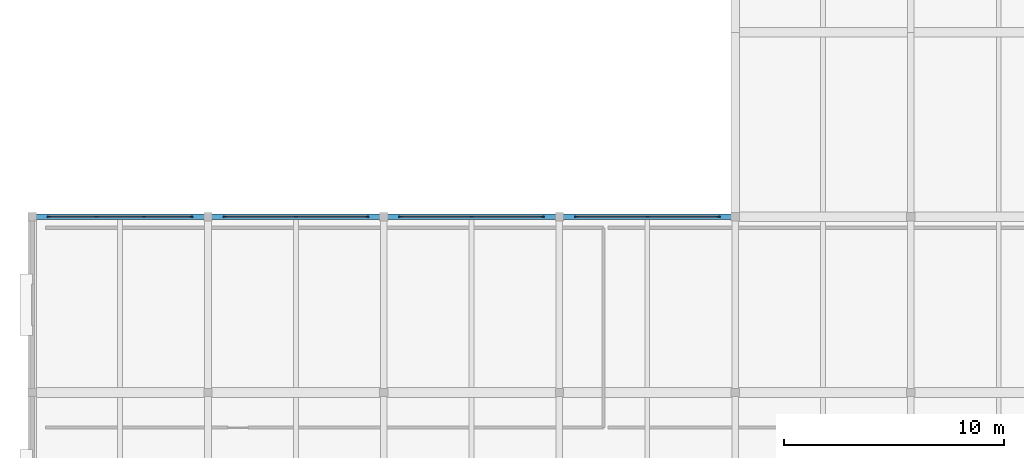
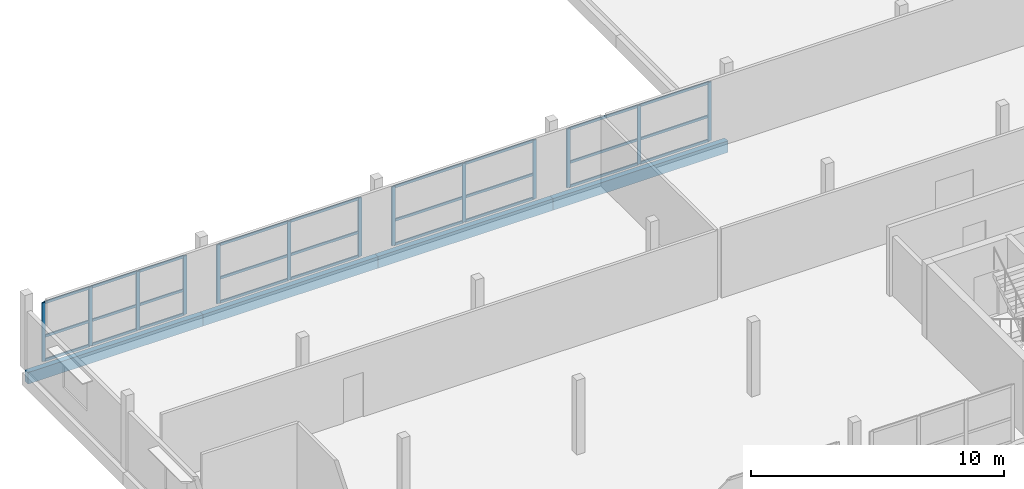
# One storey, part 15 of 34: 40 members, 4 beams, 4 elements without a shape of their own.
"""IFC4 building model written with IfcOpenShell, lengths in metres."""

from ifc_helpers import new_model, si_unit, direction, frame, origin, origin_2d, place, context, subcontext, project, spatial, rectangle, extrude, material, material_profile, profile_set, type_object, element, aggregate, save


model = new_model("IFC4")

# Units and contexts
model_context = context("Model", 3, precision=1e-05, world=origin(), true_north=direction((0.0, 1.0)))
body_context = subcontext(model_context, "Body", "Model", "MODEL_VIEW")
ifc_project = project(units=[si_unit("LENGTHUNIT", "METRE"), si_unit("AREAUNIT", "SQUARE_METRE"), si_unit("VOLUMEUNIT", "CUBIC_METRE"), si_unit("PLANEANGLEUNIT", "RADIAN"), si_unit("MASSUNIT", "GRAM", prefix="KILO")], contexts=[model_context])

# Site, building, storey
site_placement = place(None, origin())
site = spatial("IfcSite", under=ifc_project, at=site_placement, CompositionType="ELEMENT")
building_placement = place(site_placement, origin())
building = spatial("IfcBuilding", under=site, at=building_placement, Name="Vharandega Faculty of Natural Sciences", CompositionType="ELEMENT")
storey_placement = place(building_placement, frame((0.0, 0.0, 21.60009765625)))
storey = spatial("IfcBuildingStorey", under=building, at=storey_placement, Name="L05", CompositionType="ELEMENT", Elevation=21.60009765625)

# Curtain wall, members
ifc_material_1 = material(Name="Aluminium and solar-control glass curtain wall", Category="aluminium")
curtain_wall_type_1 = type_object("IfcCurtainWallType", Name="Unitised Curtain Wall System CW-06", PredefinedType="NOTDEFINED", material=ifc_material_1)
curtain_wall_1_placement = place(storey_placement, origin())
curtain_wall_1 = element("IfcCurtainWall", 1, at=curtain_wall_1_placement, inside=storey, type_object=curtain_wall_type_1, Name="Curtain Wall CW-L05-201", PredefinedType="NOTDEFINED")
ifc_material_2 = material(Name="Thermally broken aluminium 6063-T6", Category="aluminium")
ifc_material_profile_1 = material_profile(ifc_material_2, rectangle(XDim=0.06005859375, YDim=0.159912109375, at=origin_2d()), Name="ALU 60x160")
ifc_profile_set_1 = profile_set([ifc_material_profile_1], Name="Thermally broken aluminium 6063-T6")
member_type_1 = type_object("IfcMemberType", Name="CW Mullion 60x160", PredefinedType="MULLION", material=ifc_profile_set_1)
member_1_placement = place(storey_placement, frame((0.77001953125, 64.0, 0.0), z_axis=(0.0, 0.0, 1.0), x_axis=(0.0, 1.0, 0.0)))
member_1 = element("IfcMember", 2, at=member_1_placement, type_object=member_type_1, Name="CW-06 mullion 1", PredefinedType="MULLION", context=body_context, shape_type="SweptSolid", body=[
    extrude(rectangle(XDim=0.06005859375, YDim=0.159912109375, at=origin_2d()), origin(), (0.0, 0.0, 1.0), 2.83984375),
])
member_2_placement = place(storey_placement, frame((2.913330078125, 64.0, 0.0), z_axis=(0.0, 0.0, 1.0), x_axis=(0.0, 1.0, 0.0)))
member_2 = element("IfcMember", 3, at=member_2_placement, type_object=member_type_1, Name="CW-06 mullion 2", PredefinedType="MULLION", context=body_context, shape_type="SweptSolid", body=[
    extrude(rectangle(XDim=0.06005859375, YDim=0.159912109375, at=origin_2d()), origin(), (0.0, 0.0, 1.0), 2.83984375),
])
member_3_placement = place(storey_placement, frame((5.086669921875, 64.0, 0.0), z_axis=(0.0, 0.0, 1.0), x_axis=(0.0, 1.0, 0.0)))
member_3 = element("IfcMember", 4, at=member_3_placement, type_object=member_type_1, Name="CW-06 mullion 3", PredefinedType="MULLION", context=body_context, shape_type="SweptSolid", body=[
    extrude(rectangle(XDim=0.06005859375, YDim=0.159912109375, at=origin_2d()), origin(), (0.0, 0.0, 1.0), 2.83984375),
])
member_4_placement = place(storey_placement, frame((7.22998046875, 64.0, 0.0), z_axis=(0.0, 0.0, 1.0), x_axis=(0.0, 1.0, 0.0)))
member_4 = element("IfcMember", 5, at=member_4_placement, type_object=member_type_1, Name="CW-06 mullion 4", PredefinedType="MULLION", context=body_context, shape_type="SweptSolid", body=[
    extrude(rectangle(XDim=0.06005859375, YDim=0.159912109375, at=origin_2d()), origin(), (0.0, 0.0, 1.0), 2.83984375),
])

ifc_material_3 = material(Name="Aluminium and solar-control glass curtain wall", Category="aluminium")
curtain_wall_type_2 = type_object("IfcCurtainWallType", Name="Unitised Curtain Wall System CW-07", PredefinedType="NOTDEFINED", material=ifc_material_3)
curtain_wall_2_placement = place(storey_placement, origin())
curtain_wall_2 = element("IfcCurtainWall", 6, at=curtain_wall_2_placement, inside=storey, type_object=curtain_wall_type_2, Name="Curtain Wall CW-L05-202", PredefinedType="NOTDEFINED")
member_5_placement = place(storey_placement, frame((8.77001953125, 64.0, 0.0), z_axis=(0.0, 0.0, 1.0), x_axis=(0.0, 1.0, 0.0)))
member_5 = element("IfcMember", 7, at=member_5_placement, type_object=member_type_1, Name="CW-07 mullion 1", PredefinedType="MULLION", context=body_context, shape_type="SweptSolid", body=[
    extrude(rectangle(XDim=0.06005859375, YDim=0.159912109375, at=origin_2d()), origin(), (0.0, 0.0, 1.0), 2.83984375),
])
member_6_placement = place(storey_placement, frame((12.0, 64.0, 0.0), z_axis=(0.0, 0.0, 1.0), x_axis=(0.0, 1.0, 0.0)))
member_6 = element("IfcMember", 8, at=member_6_placement, type_object=member_type_1, Name="CW-07 mullion 2", PredefinedType="MULLION", context=body_context, shape_type="SweptSolid", body=[
    extrude(rectangle(XDim=0.06005859375, YDim=0.159912109375, at=origin_2d()), origin(), (0.0, 0.0, 1.0), 2.83984375),
])
member_7_placement = place(storey_placement, frame((15.22998046875, 64.0, 0.0), z_axis=(0.0, 0.0, 1.0), x_axis=(0.0, 1.0, 0.0)))
member_7 = element("IfcMember", 9, at=member_7_placement, type_object=member_type_1, Name="CW-07 mullion 3", PredefinedType="MULLION", context=body_context, shape_type="SweptSolid", body=[
    extrude(rectangle(XDim=0.06005859375, YDim=0.159912109375, at=origin_2d()), origin(), (0.0, 0.0, 1.0), 2.83984375),
])

ifc_material_4 = material(Name="Aluminium and solar-control glass curtain wall", Category="aluminium")
curtain_wall_type_3 = type_object("IfcCurtainWallType", Name="Unitised Curtain Wall System CW-08", PredefinedType="NOTDEFINED", material=ifc_material_4)
curtain_wall_3_placement = place(storey_placement, origin())
curtain_wall_3 = element("IfcCurtainWall", 10, at=curtain_wall_3_placement, inside=storey, type_object=curtain_wall_type_3, Name="Curtain Wall CW-L05-203", PredefinedType="NOTDEFINED")
member_8_placement = place(storey_placement, frame((16.77001953125, 64.0, 0.0), z_axis=(0.0, 0.0, 1.0), x_axis=(0.0, 1.0, 0.0)))
member_8 = element("IfcMember", 11, at=member_8_placement, type_object=member_type_1, Name="CW-08 mullion 1", PredefinedType="MULLION", context=body_context, shape_type="SweptSolid", body=[
    extrude(rectangle(XDim=0.06005859375, YDim=0.159912109375, at=origin_2d()), origin(), (0.0, 0.0, 1.0), 2.83984375),
])
member_9_placement = place(storey_placement, frame((20.0, 64.0, 0.0), z_axis=(0.0, 0.0, 1.0), x_axis=(0.0, 1.0, 0.0)))
member_9 = element("IfcMember", 12, at=member_9_placement, type_object=member_type_1, Name="CW-08 mullion 2", PredefinedType="MULLION", context=body_context, shape_type="SweptSolid", body=[
    extrude(rectangle(XDim=0.06005859375, YDim=0.159912109375, at=origin_2d()), origin(), (0.0, 0.0, 1.0), 2.83984375),
])
member_10_placement = place(storey_placement, frame((23.22998046875, 64.0, 0.0), z_axis=(0.0, 0.0, 1.0), x_axis=(0.0, 1.0, 0.0)))
member_10 = element("IfcMember", 13, at=member_10_placement, type_object=member_type_1, Name="CW-08 mullion 3", PredefinedType="MULLION", context=body_context, shape_type="SweptSolid", body=[
    extrude(rectangle(XDim=0.06005859375, YDim=0.159912109375, at=origin_2d()), origin(), (0.0, 0.0, 1.0), 2.83984375),
])

ifc_material_5 = material(Name="Aluminium and solar-control glass curtain wall", Category="aluminium")
curtain_wall_type_4 = type_object("IfcCurtainWallType", Name="Unitised Curtain Wall System CW-09", PredefinedType="NOTDEFINED", material=ifc_material_5)
curtain_wall_4_placement = place(storey_placement, origin())
curtain_wall_4 = element("IfcCurtainWall", 14, at=curtain_wall_4_placement, inside=storey, type_object=curtain_wall_type_4, Name="Curtain Wall CW-L05-204", PredefinedType="NOTDEFINED")
member_11_placement = place(storey_placement, frame((24.77001953125, 64.0, 0.0), z_axis=(0.0, 0.0, 1.0), x_axis=(0.0, 1.0, 0.0)))
member_11 = element("IfcMember", 15, at=member_11_placement, type_object=member_type_1, Name="CW-09 mullion 1", PredefinedType="MULLION", context=body_context, shape_type="SweptSolid", body=[
    extrude(rectangle(XDim=0.06005859375, YDim=0.159912109375, at=origin_2d()), origin(), (0.0, 0.0, 1.0), 2.83984375),
])
member_12_placement = place(storey_placement, frame((28.0, 64.0, 0.0), z_axis=(0.0, 0.0, 1.0), x_axis=(0.0, 1.0, 0.0)))
member_12 = element("IfcMember", 16, at=member_12_placement, type_object=member_type_1, Name="CW-09 mullion 2", PredefinedType="MULLION", context=body_context, shape_type="SweptSolid", body=[
    extrude(rectangle(XDim=0.06005859375, YDim=0.159912109375, at=origin_2d()), origin(), (0.0, 0.0, 1.0), 2.83984375),
])
member_13_placement = place(storey_placement, frame((31.22998046875, 64.0, 0.0), z_axis=(0.0, 0.0, 1.0), x_axis=(0.0, 1.0, 0.0)))
member_13 = element("IfcMember", 17, at=member_13_placement, type_object=member_type_1, Name="CW-09 mullion 3", PredefinedType="MULLION", context=body_context, shape_type="SweptSolid", body=[
    extrude(rectangle(XDim=0.06005859375, YDim=0.159912109375, at=origin_2d()), origin(), (0.0, 0.0, 1.0), 2.83984375),
])

# Member
ifc_material_6 = material(Name="Thermally broken aluminium 6063-T6", Category="aluminium")
ifc_material_profile_2 = material_profile(ifc_material_6, rectangle(XDim=0.06005859375, YDim=0.1201171875, at=origin_2d()), Name="ALU 60x120")
ifc_profile_set_2 = profile_set([ifc_material_profile_2], Name="Thermally broken aluminium 6063-T6")
member_type_2 = type_object("IfcMemberType", Name="CW Transom 60x120", PredefinedType="USERDEFINED", material=ifc_profile_set_2)
member_14_placement = place(storey_placement, frame((0.800048828125, 64.0, 0.02978515625), z_axis=(1.0, 0.0, 0.0), x_axis=(0.0, 1.0, 0.0)))
member_14 = element("IfcMember", 18, at=member_14_placement, type_object=member_type_2, Name="CW-06 transom 1.1", ObjectType="TRANSOM", PredefinedType="USERDEFINED", context=body_context, shape_type="SweptSolid", body=[
    extrude(rectangle(XDim=0.06005859375, YDim=0.1201171875, at=origin_2d()), origin(), (0.0, 0.0, 1.0), 2.083251953125),
])

member_15_placement = place(storey_placement, frame((0.800048828125, 64.0, 1.192626953125), z_axis=(1.0, 0.0, 0.0), x_axis=(0.0, 1.0, 0.0)))
member_15 = element("IfcMember", 19, at=member_15_placement, type_object=member_type_2, Name="CW-06 transom 1.2", ObjectType="TRANSOM", PredefinedType="USERDEFINED", context=body_context, shape_type="SweptSolid", body=[
    extrude(rectangle(XDim=0.06005859375, YDim=0.1201171875, at=origin_2d()), origin(), (0.0, 0.0, 1.0), 2.083251953125),
])

member_16_placement = place(storey_placement, frame((0.800048828125, 64.0, 2.809814453125), z_axis=(1.0, 0.0, 0.0), x_axis=(0.0, 1.0, 0.0)))
member_16 = element("IfcMember", 20, at=member_16_placement, type_object=member_type_2, Name="CW-06 transom 1.3", ObjectType="TRANSOM", PredefinedType="USERDEFINED", context=body_context, shape_type="SweptSolid", body=[
    extrude(rectangle(XDim=0.06005859375, YDim=0.1201171875, at=origin_2d()), origin(), (0.0, 0.0, 1.0), 2.083251953125),
])

member_17_placement = place(storey_placement, frame((2.943359375, 64.0, 0.02978515625), z_axis=(1.0, 0.0, 0.0), x_axis=(0.0, 1.0, 0.0)))
member_17 = element("IfcMember", 21, at=member_17_placement, type_object=member_type_2, Name="CW-06 transom 2.1", ObjectType="TRANSOM", PredefinedType="USERDEFINED", context=body_context, shape_type="SweptSolid", body=[
    extrude(rectangle(XDim=0.06005859375, YDim=0.1201171875, at=origin_2d()), origin(), (0.0, 0.0, 1.0), 2.11328125),
])

member_18_placement = place(storey_placement, frame((2.943359375, 64.0, 1.192626953125), z_axis=(1.0, 0.0, 0.0), x_axis=(0.0, 1.0, 0.0)))
member_18 = element("IfcMember", 22, at=member_18_placement, type_object=member_type_2, Name="CW-06 transom 2.2", ObjectType="TRANSOM", PredefinedType="USERDEFINED", context=body_context, shape_type="SweptSolid", body=[
    extrude(rectangle(XDim=0.06005859375, YDim=0.1201171875, at=origin_2d()), origin(), (0.0, 0.0, 1.0), 2.11328125),
])

member_19_placement = place(storey_placement, frame((2.943359375, 64.0, 2.809814453125), z_axis=(1.0, 0.0, 0.0), x_axis=(0.0, 1.0, 0.0)))
member_19 = element("IfcMember", 23, at=member_19_placement, type_object=member_type_2, Name="CW-06 transom 2.3", ObjectType="TRANSOM", PredefinedType="USERDEFINED", context=body_context, shape_type="SweptSolid", body=[
    extrude(rectangle(XDim=0.06005859375, YDim=0.1201171875, at=origin_2d()), origin(), (0.0, 0.0, 1.0), 2.11328125),
])

member_20_placement = place(storey_placement, frame((5.11669921875, 64.0, 0.02978515625), z_axis=(1.0, 0.0, 0.0), x_axis=(0.0, 1.0, 0.0)))
member_20 = element("IfcMember", 24, at=member_20_placement, type_object=member_type_2, Name="CW-06 transom 3.1", ObjectType="TRANSOM", PredefinedType="USERDEFINED", context=body_context, shape_type="SweptSolid", body=[
    extrude(rectangle(XDim=0.06005859375, YDim=0.1201171875, at=origin_2d()), origin(), (0.0, 0.0, 1.0), 2.083251953125),
])

member_21_placement = place(storey_placement, frame((5.11669921875, 64.0, 1.192626953125), z_axis=(1.0, 0.0, 0.0), x_axis=(0.0, 1.0, 0.0)))
member_21 = element("IfcMember", 25, at=member_21_placement, type_object=member_type_2, Name="CW-06 transom 3.2", ObjectType="TRANSOM", PredefinedType="USERDEFINED", context=body_context, shape_type="SweptSolid", body=[
    extrude(rectangle(XDim=0.06005859375, YDim=0.1201171875, at=origin_2d()), origin(), (0.0, 0.0, 1.0), 2.083251953125),
])

member_22_placement = place(storey_placement, frame((5.11669921875, 64.0, 2.809814453125), z_axis=(1.0, 0.0, 0.0), x_axis=(0.0, 1.0, 0.0)))
member_22 = element("IfcMember", 26, at=member_22_placement, type_object=member_type_2, Name="CW-06 transom 3.3", ObjectType="TRANSOM", PredefinedType="USERDEFINED", context=body_context, shape_type="SweptSolid", body=[
    extrude(rectangle(XDim=0.06005859375, YDim=0.1201171875, at=origin_2d()), origin(), (0.0, 0.0, 1.0), 2.083251953125),
])

aggregate(curtain_wall_1, [member_1, member_2, member_3, member_4, member_14, member_15, member_16, member_17, member_18, member_19, member_20, member_21, member_22])

member_23_placement = place(storey_placement, frame((8.800048828125, 64.0, 0.02978515625), z_axis=(1.0, 0.0, 0.0), x_axis=(0.0, 1.0, 0.0)))
member_23 = element("IfcMember", 27, at=member_23_placement, type_object=member_type_2, Name="CW-07 transom 1.1", ObjectType="TRANSOM", PredefinedType="USERDEFINED", context=body_context, shape_type="SweptSolid", body=[
    extrude(rectangle(XDim=0.06005859375, YDim=0.1201171875, at=origin_2d()), origin(), (0.0, 0.0, 1.0), 3.169921875),
])

member_24_placement = place(storey_placement, frame((8.800048828125, 64.0, 1.192626953125), z_axis=(1.0, 0.0, 0.0), x_axis=(0.0, 1.0, 0.0)))
member_24 = element("IfcMember", 28, at=member_24_placement, type_object=member_type_2, Name="CW-07 transom 1.2", ObjectType="TRANSOM", PredefinedType="USERDEFINED", context=body_context, shape_type="SweptSolid", body=[
    extrude(rectangle(XDim=0.06005859375, YDim=0.1201171875, at=origin_2d()), origin(), (0.0, 0.0, 1.0), 3.169921875),
])

member_25_placement = place(storey_placement, frame((8.800048828125, 64.0, 2.809814453125), z_axis=(1.0, 0.0, 0.0), x_axis=(0.0, 1.0, 0.0)))
member_25 = element("IfcMember", 29, at=member_25_placement, type_object=member_type_2, Name="CW-07 transom 1.3", ObjectType="TRANSOM", PredefinedType="USERDEFINED", context=body_context, shape_type="SweptSolid", body=[
    extrude(rectangle(XDim=0.06005859375, YDim=0.1201171875, at=origin_2d()), origin(), (0.0, 0.0, 1.0), 3.169921875),
])

member_26_placement = place(storey_placement, frame((12.030029296875, 64.0, 0.02978515625), z_axis=(1.0, 0.0, 0.0), x_axis=(0.0, 1.0, 0.0)))
member_26 = element("IfcMember", 30, at=member_26_placement, type_object=member_type_2, Name="CW-07 transom 2.1", ObjectType="TRANSOM", PredefinedType="USERDEFINED", context=body_context, shape_type="SweptSolid", body=[
    extrude(rectangle(XDim=0.06005859375, YDim=0.1201171875, at=origin_2d()), origin(), (0.0, 0.0, 1.0), 3.169921875),
])

member_27_placement = place(storey_placement, frame((12.030029296875, 64.0, 1.192626953125), z_axis=(1.0, 0.0, 0.0), x_axis=(0.0, 1.0, 0.0)))
member_27 = element("IfcMember", 31, at=member_27_placement, type_object=member_type_2, Name="CW-07 transom 2.2", ObjectType="TRANSOM", PredefinedType="USERDEFINED", context=body_context, shape_type="SweptSolid", body=[
    extrude(rectangle(XDim=0.06005859375, YDim=0.1201171875, at=origin_2d()), origin(), (0.0, 0.0, 1.0), 3.169921875),
])

member_28_placement = place(storey_placement, frame((12.030029296875, 64.0, 2.809814453125), z_axis=(1.0, 0.0, 0.0), x_axis=(0.0, 1.0, 0.0)))
member_28 = element("IfcMember", 32, at=member_28_placement, type_object=member_type_2, Name="CW-07 transom 2.3", ObjectType="TRANSOM", PredefinedType="USERDEFINED", context=body_context, shape_type="SweptSolid", body=[
    extrude(rectangle(XDim=0.06005859375, YDim=0.1201171875, at=origin_2d()), origin(), (0.0, 0.0, 1.0), 3.169921875),
])

aggregate(curtain_wall_2, [member_5, member_6, member_7, member_23, member_24, member_25, member_26, member_27, member_28])

member_29_placement = place(storey_placement, frame((16.800048828125, 64.0, 0.02978515625), z_axis=(1.0, 0.0, 0.0), x_axis=(0.0, 1.0, 0.0)))
member_29 = element("IfcMember", 33, at=member_29_placement, type_object=member_type_2, Name="CW-08 transom 1.1", ObjectType="TRANSOM", PredefinedType="USERDEFINED", context=body_context, shape_type="SweptSolid", body=[
    extrude(rectangle(XDim=0.06005859375, YDim=0.1201171875, at=origin_2d()), origin(), (0.0, 0.0, 1.0), 3.169921875),
])

member_30_placement = place(storey_placement, frame((16.800048828125, 64.0, 1.192626953125), z_axis=(1.0, 0.0, 0.0), x_axis=(0.0, 1.0, 0.0)))
member_30 = element("IfcMember", 34, at=member_30_placement, type_object=member_type_2, Name="CW-08 transom 1.2", ObjectType="TRANSOM", PredefinedType="USERDEFINED", context=body_context, shape_type="SweptSolid", body=[
    extrude(rectangle(XDim=0.06005859375, YDim=0.1201171875, at=origin_2d()), origin(), (0.0, 0.0, 1.0), 3.169921875),
])

member_31_placement = place(storey_placement, frame((16.800048828125, 64.0, 2.809814453125), z_axis=(1.0, 0.0, 0.0), x_axis=(0.0, 1.0, 0.0)))
member_31 = element("IfcMember", 35, at=member_31_placement, type_object=member_type_2, Name="CW-08 transom 1.3", ObjectType="TRANSOM", PredefinedType="USERDEFINED", context=body_context, shape_type="SweptSolid", body=[
    extrude(rectangle(XDim=0.06005859375, YDim=0.1201171875, at=origin_2d()), origin(), (0.0, 0.0, 1.0), 3.169921875),
])

member_32_placement = place(storey_placement, frame((20.030029296875, 64.0, 0.02978515625), z_axis=(1.0, 0.0, 0.0), x_axis=(0.0, 1.0, 0.0)))
member_32 = element("IfcMember", 36, at=member_32_placement, type_object=member_type_2, Name="CW-08 transom 2.1", ObjectType="TRANSOM", PredefinedType="USERDEFINED", context=body_context, shape_type="SweptSolid", body=[
    extrude(rectangle(XDim=0.06005859375, YDim=0.1201171875, at=origin_2d()), origin(), (0.0, 0.0, 1.0), 3.169921875),
])

member_33_placement = place(storey_placement, frame((20.030029296875, 64.0, 1.192626953125), z_axis=(1.0, 0.0, 0.0), x_axis=(0.0, 1.0, 0.0)))
member_33 = element("IfcMember", 37, at=member_33_placement, type_object=member_type_2, Name="CW-08 transom 2.2", ObjectType="TRANSOM", PredefinedType="USERDEFINED", context=body_context, shape_type="SweptSolid", body=[
    extrude(rectangle(XDim=0.06005859375, YDim=0.1201171875, at=origin_2d()), origin(), (0.0, 0.0, 1.0), 3.169921875),
])

member_34_placement = place(storey_placement, frame((20.030029296875, 64.0, 2.809814453125), z_axis=(1.0, 0.0, 0.0), x_axis=(0.0, 1.0, 0.0)))
member_34 = element("IfcMember", 38, at=member_34_placement, type_object=member_type_2, Name="CW-08 transom 2.3", ObjectType="TRANSOM", PredefinedType="USERDEFINED", context=body_context, shape_type="SweptSolid", body=[
    extrude(rectangle(XDim=0.06005859375, YDim=0.1201171875, at=origin_2d()), origin(), (0.0, 0.0, 1.0), 3.169921875),
])

aggregate(curtain_wall_3, [member_8, member_9, member_10, member_29, member_30, member_31, member_32, member_33, member_34])

member_35_placement = place(storey_placement, frame((24.800048828125, 64.0, 0.02978515625), z_axis=(1.0, 0.0, 0.0), x_axis=(0.0, 1.0, 0.0)))
member_35 = element("IfcMember", 39, at=member_35_placement, type_object=member_type_2, Name="CW-09 transom 1.1", ObjectType="TRANSOM", PredefinedType="USERDEFINED", context=body_context, shape_type="SweptSolid", body=[
    extrude(rectangle(XDim=0.06005859375, YDim=0.1201171875, at=origin_2d()), origin(), (0.0, 0.0, 1.0), 3.169921875),
])

member_36_placement = place(storey_placement, frame((24.800048828125, 64.0, 1.192626953125), z_axis=(1.0, 0.0, 0.0), x_axis=(0.0, 1.0, 0.0)))
member_36 = element("IfcMember", 40, at=member_36_placement, type_object=member_type_2, Name="CW-09 transom 1.2", ObjectType="TRANSOM", PredefinedType="USERDEFINED", context=body_context, shape_type="SweptSolid", body=[
    extrude(rectangle(XDim=0.06005859375, YDim=0.1201171875, at=origin_2d()), origin(), (0.0, 0.0, 1.0), 3.169921875),
])

member_37_placement = place(storey_placement, frame((24.800048828125, 64.0, 2.809814453125), z_axis=(1.0, 0.0, 0.0), x_axis=(0.0, 1.0, 0.0)))
member_37 = element("IfcMember", 41, at=member_37_placement, type_object=member_type_2, Name="CW-09 transom 1.3", ObjectType="TRANSOM", PredefinedType="USERDEFINED", context=body_context, shape_type="SweptSolid", body=[
    extrude(rectangle(XDim=0.06005859375, YDim=0.1201171875, at=origin_2d()), origin(), (0.0, 0.0, 1.0), 3.169921875),
])

member_38_placement = place(storey_placement, frame((28.030029296875, 64.0, 0.02978515625), z_axis=(1.0, 0.0, 0.0), x_axis=(0.0, 1.0, 0.0)))
member_38 = element("IfcMember", 42, at=member_38_placement, type_object=member_type_2, Name="CW-09 transom 2.1", ObjectType="TRANSOM", PredefinedType="USERDEFINED", context=body_context, shape_type="SweptSolid", body=[
    extrude(rectangle(XDim=0.06005859375, YDim=0.1201171875, at=origin_2d()), origin(), (0.0, 0.0, 1.0), 3.169921875),
])

member_39_placement = place(storey_placement, frame((28.030029296875, 64.0, 1.192626953125), z_axis=(1.0, 0.0, 0.0), x_axis=(0.0, 1.0, 0.0)))
member_39 = element("IfcMember", 43, at=member_39_placement, type_object=member_type_2, Name="CW-09 transom 2.2", ObjectType="TRANSOM", PredefinedType="USERDEFINED", context=body_context, shape_type="SweptSolid", body=[
    extrude(rectangle(XDim=0.06005859375, YDim=0.1201171875, at=origin_2d()), origin(), (0.0, 0.0, 1.0), 3.169921875),
])

member_40_placement = place(storey_placement, frame((28.030029296875, 64.0, 2.809814453125), z_axis=(1.0, 0.0, 0.0), x_axis=(0.0, 1.0, 0.0)))
member_40 = element("IfcMember", 44, at=member_40_placement, type_object=member_type_2, Name="CW-09 transom 2.3", ObjectType="TRANSOM", PredefinedType="USERDEFINED", context=body_context, shape_type="SweptSolid", body=[
    extrude(rectangle(XDim=0.06005859375, YDim=0.1201171875, at=origin_2d()), origin(), (0.0, 0.0, 1.0), 3.169921875),
])

aggregate(curtain_wall_4, [member_11, member_12, member_13, member_35, member_36, member_37, member_38, member_39, member_40])

# Beams
ifc_material_7 = material(Name="Glulam GL28h", Category="wood")
ifc_material_profile_3 = material_profile(ifc_material_7, rectangle(XDim=0.239990234375, YDim=0.56005859375, at=origin_2d()), Name="GL28h 240x560")
ifc_profile_set_3 = profile_set([ifc_material_profile_3], Name="Glulam GL28h")
beam_type = type_object("IfcBeamType", Name="Glulam Spandrel Edge Beam 240x560", PredefinedType="SPANDREL", material=ifc_profile_set_3)
for number, where, z_axis, x_axis, name in (
    (45, (0.0, 64.0, -0.5), (1.0, 0.0, 0.0), (0.0, 1.0, 0.0), "Beam L05 J/1-2"),
    (46, (8.0, 64.0, -0.5), (1.0, 0.0, 0.0), (0.0, 1.0, 0.0), "Beam L05 J/2-3"),
    (47, (16.0, 64.0, -0.5), (1.0, 0.0, 0.0), (0.0, 1.0, 0.0), "Beam L05 J/3-4"),
    (48, (24.0, 64.0, -0.5), (1.0, 0.0, 0.0), (0.0, 1.0, 0.0), "Beam L05 J/4-5"),
):
    element("IfcBeam", number, at=place(storey_placement, frame(where, z_axis=z_axis, x_axis=x_axis)), inside=storey, type_object=beam_type, Name=name, PredefinedType="SPANDREL", context=body_context, shape_type="SweptSolid", body=[
        extrude(rectangle(XDim=0.239990234375, YDim=0.56005859375, at=origin_2d()), origin(), (0.0, 0.0, 1.0), 8.0),
    ])

save(model, "model.ifc")
